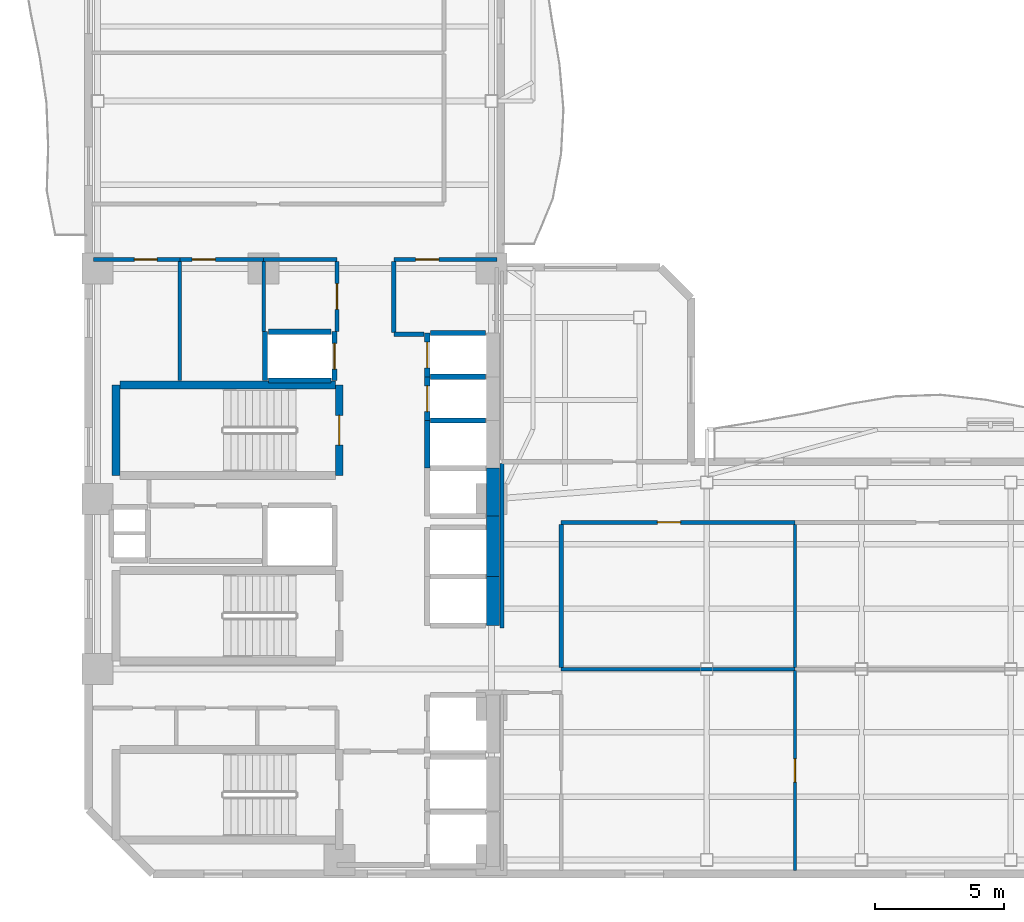
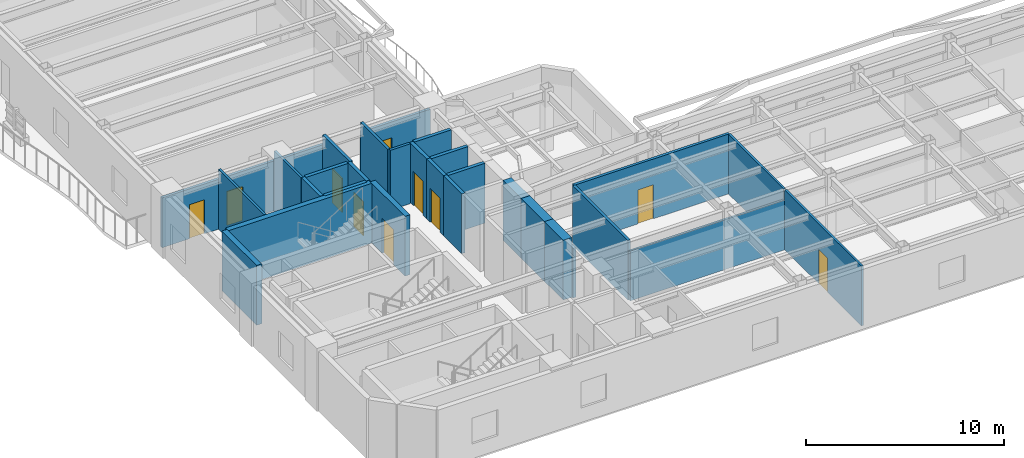
# One storey, part 4 of 9: 31 walls, 10 doors, 10 openings.
"""IFC4 building model written with IfcOpenShell, lengths in metres."""

from ifc_helpers import new_model, si_unit, direction, frame, frame_2d, origin, place, context, subcontext, project, spatial, rectangle, extrude, material, layer, layer_set, type_object, element, fill, save


model = new_model("IFC4")

# Units and contexts
model_context = context("Model", 3, precision=1e-05, world=origin(), true_north=direction((0.0, 1.0)))
body_context = subcontext(model_context, "Body", "Model", "MODEL_VIEW")
ifc_project = project(units=[si_unit("LENGTHUNIT", "METRE"), si_unit("AREAUNIT", "SQUARE_METRE"), si_unit("VOLUMEUNIT", "CUBIC_METRE"), si_unit("PLANEANGLEUNIT", "RADIAN"), si_unit("MASSUNIT", "GRAM", prefix="KILO")], contexts=[model_context])

# Site, building, storey
site_placement = place(None, origin())
site = spatial("IfcSite", under=ifc_project, at=site_placement, CompositionType="ELEMENT")
building_placement = place(site_placement, origin())
building = spatial("IfcBuilding", under=site, at=building_placement, Name="Mawjaban Terraces University", CompositionType="ELEMENT")
storey_placement = place(building_placement, frame((0.0, 0.0, 154.10009765625)))
storey = spatial("IfcBuildingStorey", under=building, at=storey_placement, Name="L37", CompositionType="ELEMENT", Elevation=154.10009765625)

# Walls
ifc_material_1 = material(Name="Concrete C60/75", Category="concrete")
ifc_layer_1 = layer(ifc_material_1, 0.5)
ifc_layer_set_1 = layer_set([ifc_layer_1], Name="Concrete C60/75")
wall_type_1 = type_object("IfcWallType", Name="CoreShearWall_500", PredefinedType="SHEAR", material=ifc_layer_set_1)
wall_1_placement = place(storey_placement, frame((37.699951171875, 9.64990234375, 0.0), z_axis=(0.0, 0.0, 1.0), x_axis=(0.0, 1.0, 0.0)))
element("IfcWall", 1, at=wall_1_placement, inside=storey, type_object=wall_type_1, Name="L37 Lift PL-H1 Hoistway Wall East", PredefinedType="SHEAR", context=body_context, shape_type="SweptSolid", body=[
    extrude(rectangle(XDim=1.900146484375, YDim=0.5, at=frame_2d((0.9501953125, 0.0))), origin(), (0.0, 0.0, 1.0), 3.68994140625),
])
wall_2_placement = place(storey_placement, frame((37.699951171875, 11.550048828125, 0.0), z_axis=(0.0, 0.0, 1.0), x_axis=(0.0, 1.0, 0.0)))
element("IfcWall", 2, at=wall_2_placement, inside=storey, type_object=wall_type_1, Name="L37 Lift PL-H2 Hoistway Wall East", PredefinedType="SHEAR", context=body_context, shape_type="SweptSolid", body=[
    extrude(rectangle(XDim=2.349853515625, YDim=0.5, at=frame_2d((1.1748046875, 0.0))), origin(), (0.0, 0.0, 1.0), 3.68994140625),
])
wall_3_placement = place(storey_placement, frame((37.699951171875, 13.89990234375, 0.0), z_axis=(0.0, 0.0, 1.0), x_axis=(0.0, 1.0, 0.0)))
element("IfcWall", 3, at=wall_3_placement, inside=storey, type_object=wall_type_1, Name="L37 Lift OL-1 Hoistway Wall East", PredefinedType="SHEAR", context=body_context, shape_type="SweptSolid", body=[
    extrude(rectangle(XDim=1.85009765625, YDim=0.5, at=frame_2d((0.925048828125, 0.0))), origin(), (0.0, 0.0, 1.0), 3.68994140625),
])

# Wall, opening, door
ifc_material_2 = material(Name="Fire-rated gypsum board on steel stud", Category="steel")
ifc_layer_2 = layer(ifc_material_2, 0.159912109375)
ifc_layer_set_2 = layer_set([ifc_layer_2], Name="Fire-rated gypsum board on steel stud")
wall_type_2 = type_object("IfcWallType", Name="CorridorPartition_160", PredefinedType="PARTITIONING", material=ifc_layer_set_2)
wall_4_placement = place(storey_placement, frame((25.550048828125, 23.85009765625, 0.0), z_axis=(0.0, 0.0, 1.0), x_axis=(-1.0, 0.0, 0.0)))
wall_4 = element("IfcWall", 4, at=wall_4_placement, inside=storey, type_object=wall_type_2, Name="L37 Ablution Room Partition 5", PredefinedType="PARTITIONING", context=body_context, shape_type="SweptSolid", body=[
    extrude(rectangle(XDim=3.35009765625, YDim=0.159912109375, at=frame_2d((1.675048828125, 0.0))), origin(), (0.0, 0.0, 1.0), 3.072998046875),
])
opening_1_placement = place(wall_4_placement, frame((0.885009765625, 0.0, 0.0)))
opening_1 = element("IfcOpeningElement", 5, at=opening_1_placement, cuts=wall_4, Name="Opening ID-088", PredefinedType="OPENING", context=body_context, shape_type="SweptSolid", body=[
    extrude(rectangle(XDim=0.8798828125, YDim=2.10009765625, at=frame_2d((0.43994140625, 1.050048828125))), frame((0.0, 0.08984375, 0.0), z_axis=(0.0, -1.0, 0.0), x_axis=(1.0, 0.0, 0.0)), (0.0, 0.0, 1.0), 0.179931640625),
])
ifc_material_3 = material(Name="Powder-coated steel frame and solid acoustic timber leaf", Category="steel")
door_type_1 = type_object("IfcDoorType", Name="ToiletDoor_880x2100", OperationType="NOTDEFINED", PredefinedType="DOOR", material=ifc_material_3)
door_1_placement = place(opening_1_placement, origin())
door_1 = element("IfcDoor", 6, at=door_1_placement, inside=storey, type_object=door_type_1, Name="L37 Ablution Room Door", OperationType="SINGLE_SWING_LEFT", OverallHeight=2.10009765625, OverallWidth=0.8798828125, PredefinedType="DOOR", context=body_context, shape_type="SweptSolid", body=[
    extrude(rectangle(XDim=0.8798828125, YDim=2.10009765625, at=frame_2d((0.43994140625, 1.050048828125))), frame((0.0, 0.02490234375, 0.0), z_axis=(0.0, -1.0, 0.0), x_axis=(1.0, 0.0, 0.0)), (0.0, 0.0, 1.0), 0.050048828125),
])
fill(opening_1, door_1)

wall_5_placement = place(storey_placement, frame((28.800048828125, 23.85009765625, 0.0), z_axis=(0.0, 0.0, 1.0), x_axis=(-1.0, 0.0, 0.0)))
wall_5 = element("IfcWall", 7, at=wall_5_placement, inside=storey, type_object=wall_type_2, Name="L37 Cleaner Store Partition 7", PredefinedType="PARTITIONING", context=body_context, shape_type="SweptSolid", body=[
    extrude(rectangle(XDim=3.25, YDim=0.159912109375, at=frame_2d((1.625, 0.0))), origin(), (0.0, 0.0, 1.0), 3.072998046875),
])
opening_2_placement = place(wall_5_placement, frame((1.875, 0.0, 0.0)))
opening_2 = element("IfcOpeningElement", 8, at=opening_2_placement, cuts=wall_5, Name="Opening ID-090", PredefinedType="OPENING", context=body_context, shape_type="SweptSolid", body=[
    extrude(rectangle(XDim=0.89990234375, YDim=2.10009765625, at=frame_2d((0.449951171875, 1.050048828125))), frame((0.0, 0.08984375, 0.0), z_axis=(0.0, -1.0, 0.0), x_axis=(1.0, 0.0, 0.0)), (0.0, 0.0, 1.0), 0.179931640625),
])
door_type_2 = type_object("IfcDoorType", Name="OfficeDoor_900x2100", OperationType="NOTDEFINED", PredefinedType="DOOR", material=ifc_material_3)
door_2_placement = place(opening_2_placement, origin())
door_2 = element("IfcDoor", 9, at=door_2_placement, inside=storey, type_object=door_type_2, Name="L37 Cleaner Store Door", OperationType="SINGLE_SWING_RIGHT", OverallHeight=2.10009765625, OverallWidth=0.89990234375, PredefinedType="DOOR", context=body_context, shape_type="SweptSolid", body=[
    extrude(rectangle(XDim=0.89990234375, YDim=2.10009765625, at=frame_2d((0.449951171875, 1.050048828125))), frame((0.0, 0.02490234375, 0.0), z_axis=(0.0, -1.0, 0.0), x_axis=(1.0, 0.0, 0.0)), (0.0, 0.0, 1.0), 0.050048828125),
])
fill(opening_2, door_2)

# Walls
wall_6_placement = place(storey_placement, frame((31.64990234375, 23.85009765625, 0.0), z_axis=(0.0, 0.0, 1.0), x_axis=(-1.0, 0.0, 0.0)))
element("IfcWall", 10, at=wall_6_placement, inside=storey, type_object=wall_type_2, Name="L37 Academic Tutorial Alcove Partition 9", PredefinedType="PARTITIONING", context=body_context, shape_type="SweptSolid", body=[
    extrude(rectangle(XDim=2.849853515625, YDim=0.159912109375, at=frame_2d((1.4248046875, 0.0))), origin(), (0.0, 0.0, 1.0), 3.072998046875),
])
wall_7_placement = place(storey_placement, frame((35.02001953125, 20.949951171875, 0.0), z_axis=(0.0, 0.0, 1.0), x_axis=(-1.0, 0.0, 0.0)))
element("IfcWall", 11, at=wall_7_placement, inside=storey, type_object=wall_type_2, Name="L37 Passenger Lift Lobby Partition 11", PredefinedType="PARTITIONING", context=body_context, shape_type="SweptSolid", body=[
    extrude(rectangle(XDim=1.169921875, YDim=0.159912109375, at=frame_2d((0.5849609375, 0.0))), origin(), (0.0, 0.0, 1.0), 3.68994140625),
])

# Wall, opening, door
wall_8_placement = place(storey_placement, frame((37.85009765625, 23.85009765625, 0.0), z_axis=(0.0, 0.0, 1.0), x_axis=(-1.0, 0.0, 0.0)))
wall_8 = element("IfcWall", 12, at=wall_8_placement, inside=storey, type_object=wall_type_2, Name="L37 Departmental Resource Seminar Room Partition 16", PredefinedType="PARTITIONING", context=body_context, shape_type="SweptSolid", body=[
    extrude(rectangle(XDim=4.0, YDim=0.159912109375, at=frame_2d((2.0, 0.0))), origin(), (0.0, 0.0, 1.0), 3.072998046875),
])
opening_3_placement = place(wall_8_placement, frame((2.25, 0.0, 0.0)))
opening_3 = element("IfcOpeningElement", 13, at=opening_3_placement, cuts=wall_8, Name="Opening ID-090", PredefinedType="OPENING", context=body_context, shape_type="SweptSolid", body=[
    extrude(rectangle(XDim=0.89990234375, YDim=2.10009765625, at=frame_2d((0.449951171875, 1.050048828125))), frame((0.0, 0.08984375, 0.0), z_axis=(0.0, -1.0, 0.0), x_axis=(1.0, 0.0, 0.0)), (0.0, 0.0, 1.0), 0.179931640625),
])
door_3_placement = place(opening_3_placement, origin())
door_3 = element("IfcDoor", 14, at=door_3_placement, inside=storey, type_object=door_type_2, Name="L37 Departmental Resource Seminar Room Door", OperationType="SINGLE_SWING_LEFT", OverallHeight=2.10009765625, OverallWidth=0.89990234375, PredefinedType="DOOR", context=body_context, shape_type="SweptSolid", body=[
    extrude(rectangle(XDim=0.89990234375, YDim=2.10009765625, at=frame_2d((0.449951171875, 1.050048828125))), frame((0.0, 0.02490234375, 0.0), z_axis=(0.0, -1.0, 0.0), x_axis=(1.0, 0.0, 0.0)), (0.0, 0.0, 1.0), 0.050048828125),
])
fill(opening_3, door_3)

wall_9_placement = place(storey_placement, frame((40.35009765625, 13.64990234375, 0.0), z_axis=(0.0, 0.0, 1.0), x_axis=(1.0, 0.0, 0.0)))
wall_9 = element("IfcWall", 15, at=wall_9_placement, inside=storey, type_object=wall_type_2, Name="L37 Inner Terrace Gallery Corridor East Partition 18", PredefinedType="PARTITIONING", context=body_context, shape_type="SweptSolid", body=[
    extrude(rectangle(XDim=9.06982421875, YDim=0.159912109375, at=frame_2d((4.534912109375, 0.0))), origin(), (0.0, 0.0, 1.0), 3.68994140625),
])
opening_4_placement = place(wall_9_placement, frame((3.735107421875, 0.0, 0.0)))
opening_4 = element("IfcOpeningElement", 16, at=opening_4_placement, cuts=wall_9, Name="Opening ID-090", PredefinedType="OPENING", context=body_context, shape_type="SweptSolid", body=[
    extrude(rectangle(XDim=0.89990234375, YDim=2.10009765625, at=frame_2d((0.449951171875, 1.050048828125))), frame((0.0, 0.08984375, 0.0), z_axis=(0.0, -1.0, 0.0), x_axis=(1.0, 0.0, 0.0)), (0.0, 0.0, 1.0), 0.179931640625),
])
door_4_placement = place(opening_4_placement, origin())
door_4 = element("IfcDoor", 17, at=door_4_placement, inside=storey, type_object=door_type_2, Name="L37 Academic Counseling Room 3 Door", OperationType="SINGLE_SWING_LEFT", OverallHeight=2.10009765625, OverallWidth=0.89990234375, PredefinedType="DOOR", context=body_context, shape_type="SweptSolid", body=[
    extrude(rectangle(XDim=0.89990234375, YDim=2.10009765625, at=frame_2d((0.449951171875, 1.050048828125))), frame((0.0, 0.02490234375, 0.0), z_axis=(0.0, -1.0, 0.0), x_axis=(1.0, 0.0, 0.0)), (0.0, 0.0, 1.0), 0.050048828125),
])
fill(opening_4, door_4)

wall_10_placement = place(storey_placement, frame((31.64990234375, 23.77490234375, 0.0), z_axis=(0.0, 0.0, 1.0), x_axis=(0.0, -1.0, 0.0)))
wall_10 = element("IfcWall", 18, at=wall_10_placement, inside=storey, type_object=wall_type_2, Name="L37 Core North Lift Lobby Partition 32", PredefinedType="PARTITIONING", context=body_context, shape_type="SweptSolid", body=[
    extrude(rectangle(XDim=2.724853515625, YDim=0.159912109375, at=frame_2d((1.3623046875, 0.0))), origin(), (0.0, 0.0, 1.0), 3.68994140625),
])
opening_5_placement = place(wall_10_placement, frame((0.862060546875, 0.0, 0.0)))
opening_5 = element("IfcOpeningElement", 19, at=opening_5_placement, cuts=wall_10, Name="Opening ID-100", PredefinedType="OPENING", context=body_context, shape_type="SweptSolid", body=[
    extrude(rectangle(XDim=1.0, YDim=2.10009765625, at=frame_2d((0.5, 1.050048828125))), frame((0.0, 0.08984375, 0.0), z_axis=(0.0, -1.0, 0.0), x_axis=(1.0, 0.0, 0.0)), (0.0, 0.0, 1.0), 0.179931640625),
])
door_type_3 = type_object("IfcDoorType", Name="ClassroomDoor_1000x2100", OperationType="NOTDEFINED", PredefinedType="DOOR", material=ifc_material_3)
door_5_placement = place(opening_5_placement, origin())
door_5 = element("IfcDoor", 20, at=door_5_placement, inside=storey, type_object=door_type_3, Name="L37 Academic Tutorial Alcove Door", OperationType="SINGLE_SWING_RIGHT", OverallHeight=2.10009765625, OverallWidth=1.0, PredefinedType="DOOR", context=body_context, shape_type="SweptSolid", body=[
    extrude(rectangle(XDim=1.0, YDim=2.10009765625, at=frame_2d((0.5, 1.050048828125))), frame((0.0, 0.02490234375, 0.0), z_axis=(0.0, -1.0, 0.0), x_axis=(1.0, 0.0, 0.0)), (0.0, 0.0, 1.0), 0.050048828125),
])
fill(opening_5, door_5)

# Walls
wall_11_placement = place(storey_placement, frame((33.85009765625, 21.02490234375, 0.0), z_axis=(0.0, 0.0, 1.0), x_axis=(0.0, 1.0, 0.0)))
element("IfcWall", 21, at=wall_11_placement, inside=storey, type_object=wall_type_2, Name="L37 Core North Lift Lobby Partition 33", PredefinedType="PARTITIONING", context=body_context, shape_type="SweptSolid", body=[
    extrude(rectangle(XDim=2.75, YDim=0.159912109375, at=frame_2d((1.375, 0.0))), origin(), (0.0, 0.0, 1.0), 3.68994140625),
])
wall_12_placement = place(storey_placement, frame((38.050048828125, 15.925048828125, 0.0), z_axis=(0.0, 0.0, 1.0), x_axis=(0.0, -1.0, 0.0)))
element("IfcWall", 22, at=wall_12_placement, inside=storey, type_object=wall_type_2, Name="L37 Inner Gallery Link Corridor Partition 40", PredefinedType="PARTITIONING", context=body_context, shape_type="SweptSolid", body=[
    extrude(rectangle(XDim=6.375, YDim=0.159912109375, at=frame_2d((3.1875, 0.0))), origin(), (0.0, 0.0, 1.0), 3.072998046875),
])
wall_13_placement = place(storey_placement, frame((40.35009765625, 8.008056640625, 0.0), z_axis=(0.0, 0.0, 1.0), x_axis=(0.0, 1.0, 0.0)))
element("IfcWall", 23, at=wall_13_placement, inside=storey, type_object=wall_type_2, Name="L37 Inner Gallery Link Corridor Partition 43", PredefinedType="PARTITIONING", context=body_context, shape_type="SweptSolid", body=[
    extrude(rectangle(XDim=5.56689453125, YDim=0.159912109375, at=frame_2d((2.783447265625, 0.0))), origin(), (0.0, 0.0, 1.0), 3.68994140625),
])
ifc_material_4 = material(Name="Concrete C40/50", Category="concrete")
ifc_layer_3 = layer(ifc_material_4, 0.199951171875)
ifc_layer_set_3 = layer_set([ifc_layer_3], Name="Concrete C40/50")
wall_type_3 = type_object("IfcWallType", Name="FireLobbyWall_200", PredefinedType="SOLIDWALL", material=ifc_layer_set_3)
wall_14_placement = place(storey_placement, frame((35.14990234375, 17.60009765625, 0.0), z_axis=(0.0, 0.0, 1.0), x_axis=(0.0, -1.0, 0.0)))
element("IfcWall", 24, at=wall_14_placement, inside=storey, type_object=wall_type_3, Name="L37 Lift OL-2 Hoistway Wall West", PredefinedType="SOLIDWALL", context=body_context, shape_type="SweptSolid", body=[
    extrude(rectangle(XDim=1.85009765625, YDim=0.199951171875, at=frame_2d((0.925048828125, 0.0))), origin(), (0.0, 0.0, 1.0), 3.68994140625),
])
wall_15_placement = place(storey_placement, frame((37.419921875, 17.60009765625, 0.0), z_axis=(0.0, 0.0, 1.0), x_axis=(-1.0, 0.0, 0.0)))
element("IfcWall", 25, at=wall_15_placement, inside=storey, type_object=wall_type_3, Name="L37 Lift OL-2 Hoistway Wall North", PredefinedType="SOLIDWALL", context=body_context, shape_type="SweptSolid", body=[
    extrude(rectangle(XDim=2.139892578125, YDim=0.199951171875, at=frame_2d((1.06982421875, 0.0))), origin(), (0.0, 0.0, 1.0), 3.68994140625),
])

# Wall, opening, door
wall_16_placement = place(storey_placement, frame((35.14990234375, 19.300048828125, 0.0), z_axis=(0.0, 0.0, 1.0), x_axis=(0.0, -1.0, 0.0)))
wall_16 = element("IfcWall", 26, at=wall_16_placement, inside=storey, type_object=wall_type_3, Name="L37 Lift PL-M1 Hoistway Wall West", PredefinedType="SOLIDWALL", context=body_context, shape_type="SweptSolid", body=[
    extrude(rectangle(XDim=1.699951171875, YDim=0.199951171875, at=frame_2d((0.85009765625, 0.0))), origin(), (0.0, 0.0, 1.0), 3.68994140625),
])
opening_6_placement = place(wall_16_placement, frame((0.35009765625, 0.0, 0.0)))
opening_6 = element("IfcOpeningElement", 27, at=opening_6_placement, cuts=wall_16, Name="Opening LD-PL-M1", PredefinedType="OPENING", context=body_context, shape_type="SweptSolid", body=[
    extrude(rectangle(XDim=1.0, YDim=2.10009765625, at=frame_2d((0.5, 1.050048828125))), frame((0.0, 0.10986328125, 0.0), z_axis=(0.0, -1.0, 0.0), x_axis=(1.0, 0.0, 0.0)), (0.0, 0.0, 1.0), 0.219970703125),
])
ifc_material_5 = material(Name="Powder-coated steel frame and fire-rated steel-faced leaf", Category="steel")
door_type_4 = type_object("IfcDoorType", Name="LiftLandingSliding_1000x2100", OperationType="NOTDEFINED", PredefinedType="DOOR", material=ifc_material_5)
door_6_placement = place(opening_6_placement, origin())
door_6 = element("IfcDoor", 28, at=door_6_placement, inside=storey, type_object=door_type_4, Name="L37 Lift PL-M1 Sliding Landing Door", OperationType="DOUBLE_DOOR_SLIDING", OverallHeight=2.10009765625, OverallWidth=1.0, PredefinedType="DOOR", context=body_context, shape_type="SweptSolid", body=[
    extrude(rectangle(XDim=1.0, YDim=2.10009765625, at=frame_2d((0.5, 1.050048828125))), frame((0.0, 0.02490234375, 0.0), z_axis=(0.0, -1.0, 0.0), x_axis=(1.0, 0.0, 0.0)), (0.0, 0.0, 1.0), 0.050048828125),
])
fill(opening_6, door_6)

# Wall
wall_17_placement = place(storey_placement, frame((37.419921875, 19.300048828125, 0.0), z_axis=(0.0, 0.0, 1.0), x_axis=(-1.0, 0.0, 0.0)))
element("IfcWall", 29, at=wall_17_placement, inside=storey, type_object=wall_type_3, Name="L37 Lift PL-M1 Hoistway Wall North", PredefinedType="SOLIDWALL", context=body_context, shape_type="SweptSolid", body=[
    extrude(rectangle(XDim=2.139892578125, YDim=0.199951171875, at=frame_2d((1.06982421875, 0.0))), origin(), (0.0, 0.0, 1.0), 3.68994140625),
])

# Wall, opening, door
wall_18_placement = place(storey_placement, frame((35.14990234375, 21.0, 0.0), z_axis=(0.0, 0.0, 1.0), x_axis=(0.0, -1.0, 0.0)))
wall_18 = element("IfcWall", 30, at=wall_18_placement, inside=storey, type_object=wall_type_3, Name="L37 Lift PL-M2 Hoistway Wall West", PredefinedType="SOLIDWALL", context=body_context, shape_type="SweptSolid", body=[
    extrude(rectangle(XDim=1.699951171875, YDim=0.199951171875, at=frame_2d((0.85009765625, 0.0))), origin(), (0.0, 0.0, 1.0), 3.68994140625),
])
opening_7_placement = place(wall_18_placement, frame((0.35009765625, 0.0, 0.0)))
opening_7 = element("IfcOpeningElement", 31, at=opening_7_placement, cuts=wall_18, Name="Opening LD-PL-M2", PredefinedType="OPENING", context=body_context, shape_type="SweptSolid", body=[
    extrude(rectangle(XDim=1.0, YDim=2.10009765625, at=frame_2d((0.5, 1.050048828125))), frame((0.0, 0.10986328125, 0.0), z_axis=(0.0, -1.0, 0.0), x_axis=(1.0, 0.0, 0.0)), (0.0, 0.0, 1.0), 0.219970703125),
])
door_7_placement = place(opening_7_placement, origin())
door_7 = element("IfcDoor", 32, at=door_7_placement, inside=storey, type_object=door_type_4, Name="L37 Lift PL-M2 Sliding Landing Door", OperationType="DOUBLE_DOOR_SLIDING", OverallHeight=2.10009765625, OverallWidth=1.0, PredefinedType="DOOR", context=body_context, shape_type="SweptSolid", body=[
    extrude(rectangle(XDim=1.0, YDim=2.10009765625, at=frame_2d((0.5, 1.050048828125))), frame((0.0, 0.02490234375, 0.0), z_axis=(0.0, -1.0, 0.0), x_axis=(1.0, 0.0, 0.0)), (0.0, 0.0, 1.0), 0.050048828125),
])
fill(opening_7, door_7)

# Walls
wall_19_placement = place(storey_placement, frame((37.419921875, 21.0, 0.0), z_axis=(0.0, 0.0, 1.0), x_axis=(-1.0, 0.0, 0.0)))
element("IfcWall", 33, at=wall_19_placement, inside=storey, type_object=wall_type_3, Name="L37 Lift PL-M2 Hoistway Wall North", PredefinedType="SOLIDWALL", context=body_context, shape_type="SweptSolid", body=[
    extrude(rectangle(XDim=2.139892578125, YDim=0.199951171875, at=frame_2d((1.06982421875, 0.0))), origin(), (0.0, 0.0, 1.0), 3.68994140625),
])
wall_20_placement = place(storey_placement, frame((28.85009765625, 21.050048828125, 0.0), z_axis=(0.0, 0.0, 1.0), x_axis=(0.0, -1.0, 0.0)))
element("IfcWall", 34, at=wall_20_placement, inside=storey, type_object=wall_type_3, Name="L37 Lift PL-M3 Hoistway Wall West", PredefinedType="SOLIDWALL", context=body_context, shape_type="SweptSolid", body=[
    extrude(rectangle(XDim=1.900146484375, YDim=0.199951171875, at=frame_2d((0.9501953125, 0.0))), origin(), (0.0, 0.0, 1.0), 3.68994140625),
])

# Wall, opening, door
wall_21_placement = place(storey_placement, frame((31.550048828125, 19.14990234375, 0.0), z_axis=(0.0, 0.0, 1.0), x_axis=(0.0, 1.0, 0.0)))
wall_21 = element("IfcWall", 35, at=wall_21_placement, inside=storey, type_object=wall_type_3, Name="L37 Lift PL-M3 Hoistway Wall East", PredefinedType="SOLIDWALL", context=body_context, shape_type="SweptSolid", body=[
    extrude(rectangle(XDim=1.900146484375, YDim=0.199951171875, at=frame_2d((0.9501953125, 0.0))), origin(), (0.0, 0.0, 1.0), 3.68994140625),
])
opening_8_placement = place(wall_21_placement, frame((0.449951171875, 0.0, 0.0)))
opening_8 = element("IfcOpeningElement", 36, at=opening_8_placement, cuts=wall_21, Name="Opening LD-PL-M3", PredefinedType="OPENING", context=body_context, shape_type="SweptSolid", body=[
    extrude(rectangle(XDim=1.0, YDim=2.10009765625, at=frame_2d((0.5, 1.050048828125))), frame((0.0, 0.10986328125, 0.0), z_axis=(0.0, -1.0, 0.0), x_axis=(1.0, 0.0, 0.0)), (0.0, 0.0, 1.0), 0.219970703125),
])
door_8_placement = place(opening_8_placement, origin())
door_8 = element("IfcDoor", 37, at=door_8_placement, inside=storey, type_object=door_type_4, Name="L37 Lift PL-M3 Sliding Landing Door", OperationType="DOUBLE_DOOR_SLIDING", OverallHeight=2.10009765625, OverallWidth=1.0, PredefinedType="DOOR", context=body_context, shape_type="SweptSolid", body=[
    extrude(rectangle(XDim=1.0, YDim=2.10009765625, at=frame_2d((0.5, 1.050048828125))), frame((0.0, 0.02490234375, 0.0), z_axis=(0.0, -1.0, 0.0), x_axis=(1.0, 0.0, 0.0)), (0.0, 0.0, 1.0), 0.050048828125),
])
fill(opening_8, door_8)

# Walls
for number, where, z_axis, x_axis, name in (
    (38, (28.97998046875, 19.14990234375, 0.0), (0.0, 0.0, 1.0), (1.0, 0.0, 0.0), "L37 Lift PL-M3 Hoistway Wall South"),
    (39, (31.419921875, 21.050048828125, 0.0), (0.0, 0.0, 1.0), (-1.0, 0.0, 0.0), "L37 Lift PL-M3 Hoistway Wall North"),
):
    element("IfcWall", number, at=place(storey_placement, frame(where, z_axis=z_axis, x_axis=x_axis)), inside=storey, type_object=wall_type_3, Name=name, PredefinedType="SOLIDWALL", context=body_context, shape_type="SweptSolid", body=[
        extrude(rectangle(XDim=2.43994140625, YDim=0.199951171875, at=frame_2d((1.219970703125, 0.0))), origin(), (0.0, 0.0, 1.0), 3.68994140625),
    ])
ifc_material_6 = material(Name="Gypsum plasterboard on steel stud", Category="steel")
ifc_layer_4 = layer(ifc_material_6, 0.125)
ifc_layer_set_4 = layer_set([ifc_layer_4], Name="Gypsum plasterboard on steel stud")
wall_type_4 = type_object("IfcWallType", Name="OfficePartition_125", PredefinedType="PARTITIONING", material=ifc_layer_set_4)
wall_22_placement = place(storey_placement, frame((49.419921875, 7.949951171875, 0.0), z_axis=(0.0, 0.0, 1.0), x_axis=(-1.0, 0.0, 0.0)))
element("IfcWall", 40, at=wall_22_placement, inside=storey, type_object=wall_type_4, Name="L37 Academic Counseling Room 2 Partition 21", PredefinedType="PARTITIONING", context=body_context, shape_type="SweptSolid", body=[
    extrude(rectangle(XDim=9.06982421875, YDim=0.125, at=frame_2d((4.534912109375, 0.0))), origin(), (0.0, 0.0, 1.0), 3.072998046875),
])
wall_23_placement = place(storey_placement, frame((28.800048828125, 23.77490234375, 0.0), z_axis=(0.0, 0.0, 1.0), x_axis=(0.0, -1.0, 0.0)))
element("IfcWall", 41, at=wall_23_placement, inside=storey, type_object=wall_type_4, Name="L37 Academic Tutorial Alcove Partition 30", PredefinedType="PARTITIONING", context=body_context, shape_type="SweptSolid", body=[
    extrude(rectangle(XDim=2.724853515625, YDim=0.125, at=frame_2d((1.3623046875, 0.0))), origin(), (0.0, 0.0, 1.0), 3.68994140625),
])

# Wall, opening, door
wall_24_placement = place(storey_placement, frame((49.419921875, 0.14501953125, 0.0), z_axis=(0.0, 0.0, 1.0), x_axis=(0.0, 1.0, 0.0)))
wall_24 = element("IfcWall", 42, at=wall_24_placement, inside=storey, type_object=wall_type_4, Name="L37 Academic Counseling Room 2 Partition 44", PredefinedType="PARTITIONING", context=body_context, shape_type="SweptSolid", body=[
    extrude(rectangle(XDim=7.748046875, YDim=0.125, at=frame_2d((3.8740234375, 0.0))), origin(), (0.0, 0.0, 1.0), 3.68994140625),
])
opening_9_placement = place(wall_24_placement, frame((3.424072265625, 0.0, 0.0)))
opening_9 = element("IfcOpeningElement", 43, at=opening_9_placement, cuts=wall_24, Name="Opening ID-090", PredefinedType="OPENING", context=body_context, shape_type="SweptSolid", body=[
    extrude(rectangle(XDim=0.89990234375, YDim=2.10009765625, at=frame_2d((0.449951171875, 1.050048828125))), frame((0.0, 0.072509765625, 0.0), z_axis=(0.0, -1.0, 0.0), x_axis=(1.0, 0.0, 0.0)), (0.0, 0.0, 1.0), 0.14501953125),
])
door_9_placement = place(opening_9_placement, origin())
door_9 = element("IfcDoor", 44, at=door_9_placement, inside=storey, type_object=door_type_2, Name="L37 Academic Counseling Room 4 Door", OperationType="SINGLE_SWING_RIGHT", OverallHeight=2.10009765625, OverallWidth=0.89990234375, PredefinedType="DOOR", context=body_context, shape_type="SweptSolid", body=[
    extrude(rectangle(XDim=0.89990234375, YDim=2.10009765625, at=frame_2d((0.449951171875, 1.050048828125))), frame((0.0, 0.02490234375, 0.0), z_axis=(0.0, -1.0, 0.0), x_axis=(1.0, 0.0, 0.0)), (0.0, 0.0, 1.0), 0.050048828125),
])
fill(opening_9, door_9)

# Walls
wall_25_placement = place(storey_placement, frame((49.419921875, 8.008056640625, 0.0), z_axis=(0.0, 0.0, 1.0), x_axis=(0.0, 1.0, 0.0)))
element("IfcWall", 45, at=wall_25_placement, inside=storey, type_object=wall_type_4, Name="L37 Academic Counseling Room 3 Partition 45", PredefinedType="PARTITIONING", context=body_context, shape_type="SweptSolid", body=[
    extrude(rectangle(XDim=5.56689453125, YDim=0.125, at=frame_2d((2.783447265625, 0.0))), origin(), (0.0, 0.0, 1.0), 3.68994140625),
])
ifc_layer_5 = layer(ifc_material_1, 0.300048828125)
ifc_layer_set_5 = layer_set([ifc_layer_5], Name="Concrete C60/75")
wall_type_5 = type_object("IfcWallType", Name="StairShaftWall_300", PredefinedType="SHEAR", material=ifc_layer_set_5)
wall_26_placement = place(storey_placement, frame((31.580078125, 18.97998046875, 0.0), z_axis=(0.0, 0.0, 1.0), x_axis=(-1.0, 0.0, 0.0)))
element("IfcWall", 46, at=wall_26_placement, inside=storey, type_object=wall_type_5, Name="L37 ST-2 Stair Shaft Wall 1", PredefinedType="SHEAR", context=body_context, shape_type="SweptSolid", body=[
    extrude(rectangle(XDim=8.360107421875, YDim=0.300048828125, at=frame_2d((4.18017578125, 0.0))), origin(), (0.0, 0.0, 1.0), 3.68994140625),
])
wall_27_placement = place(storey_placement, frame((23.070068359375, 18.97998046875, 0.0), z_axis=(0.0, 0.0, 1.0), x_axis=(0.0, -1.0, 0.0)))
element("IfcWall", 47, at=wall_27_placement, inside=storey, type_object=wall_type_5, Name="L37 ST-2 Stair Shaft Wall 2", PredefinedType="SHEAR", context=body_context, shape_type="SweptSolid", body=[
    extrude(rectangle(XDim=3.510009765625, YDim=0.300048828125, at=frame_2d((1.7548828125, 0.0))), origin(), (0.0, 0.0, 1.0), 3.68994140625),
])

# Wall, opening, door
wall_28_placement = place(storey_placement, frame((31.72998046875, 15.469970703125, 0.0), z_axis=(0.0, 0.0, 1.0), x_axis=(0.0, 1.0, 0.0)))
wall_28 = element("IfcWall", 48, at=wall_28_placement, inside=storey, type_object=wall_type_5, Name="L37 ST-2 Stair Shaft Wall 4", PredefinedType="SHEAR", context=body_context, shape_type="SweptSolid", body=[
    extrude(rectangle(XDim=3.510009765625, YDim=0.300048828125, at=frame_2d((1.7548828125, 0.0))), origin(), (0.0, 0.0, 1.0), 3.68994140625),
])
opening_10_placement = place(wall_28_placement, frame((1.179931640625, 0.0, 0.0)))
opening_10 = element("IfcOpeningElement", 49, at=opening_10_placement, cuts=wall_28, Name="Opening FD-115", PredefinedType="OPENING", context=body_context, shape_type="SweptSolid", body=[
    extrude(rectangle(XDim=1.14990234375, YDim=2.14990234375, at=frame_2d((0.574951171875, 1.074951171875))), frame((0.0, 0.159912109375, 0.0), z_axis=(0.0, -1.0, 0.0), x_axis=(1.0, 0.0, 0.0)), (0.0, 0.0, 1.0), 0.320068359375),
])
door_type_5 = type_object("IfcDoorType", Name="FireStairDoor_1150x2150", OperationType="NOTDEFINED", PredefinedType="DOOR", material=ifc_material_5)
door_10_placement = place(opening_10_placement, origin())
door_10 = element("IfcDoor", 50, at=door_10_placement, inside=storey, type_object=door_type_5, Name="L37 ST-2 Pressurised Stair Fire Door", OperationType="SINGLE_SWING_RIGHT", OverallHeight=2.14990234375, OverallWidth=1.14990234375, PredefinedType="DOOR", context=body_context, shape_type="SweptSolid", body=[
    extrude(rectangle(XDim=1.14990234375, YDim=2.14990234375, at=frame_2d((0.574951171875, 1.074951171875))), frame((0.0, 0.02490234375, 0.0), z_axis=(0.0, -1.0, 0.0), x_axis=(1.0, 0.0, 0.0)), (0.0, 0.0, 1.0), 0.050048828125),
])
fill(opening_10, door_10)

# Wall
ifc_material_7 = material(Name="Cement-board wet-room partition", Category="masonry")
ifc_layer_6 = layer(ifc_material_7, 0.135009765625)
ifc_layer_set_6 = layer_set([ifc_layer_6], Name="Cement-board wet-room partition")
wall_type_6 = type_object("IfcWallType", Name="WetRoomPartition_135", PredefinedType="PARTITIONING", material=ifc_layer_set_6)
wall_29_placement = place(storey_placement, frame((25.550048828125, 19.159912109375, 0.0), z_axis=(0.0, 0.0, 1.0), x_axis=(0.0, 1.0, 0.0)))
element("IfcWall", 51, at=wall_29_placement, inside=storey, type_object=wall_type_6, Name="L37 Ablution Room Partition 28", PredefinedType="PARTITIONING", context=body_context, shape_type="SweptSolid", body=[
    extrude(rectangle(XDim=4.614990234375, YDim=0.135009765625, at=frame_2d((2.3076171875, 0.0))), origin(), (0.0, 0.0, 1.0), 3.68994140625),
])

save(model, "model.ifc")
